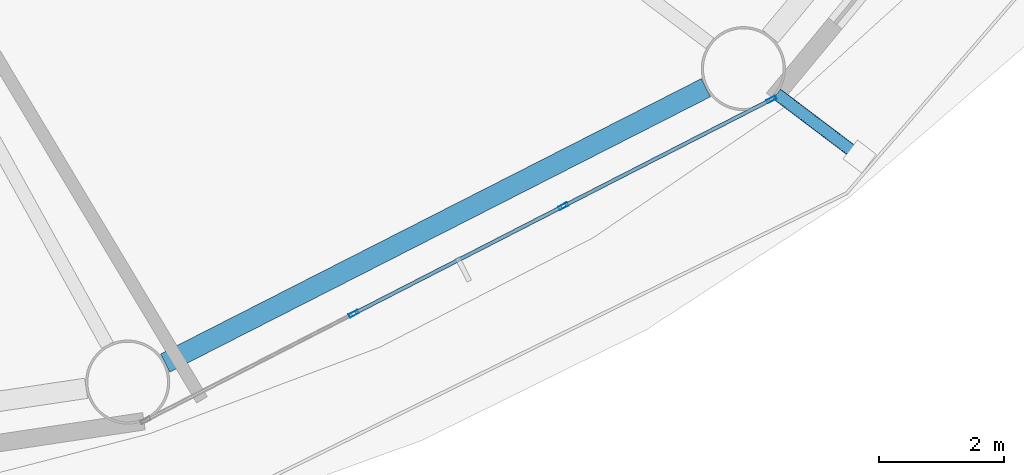
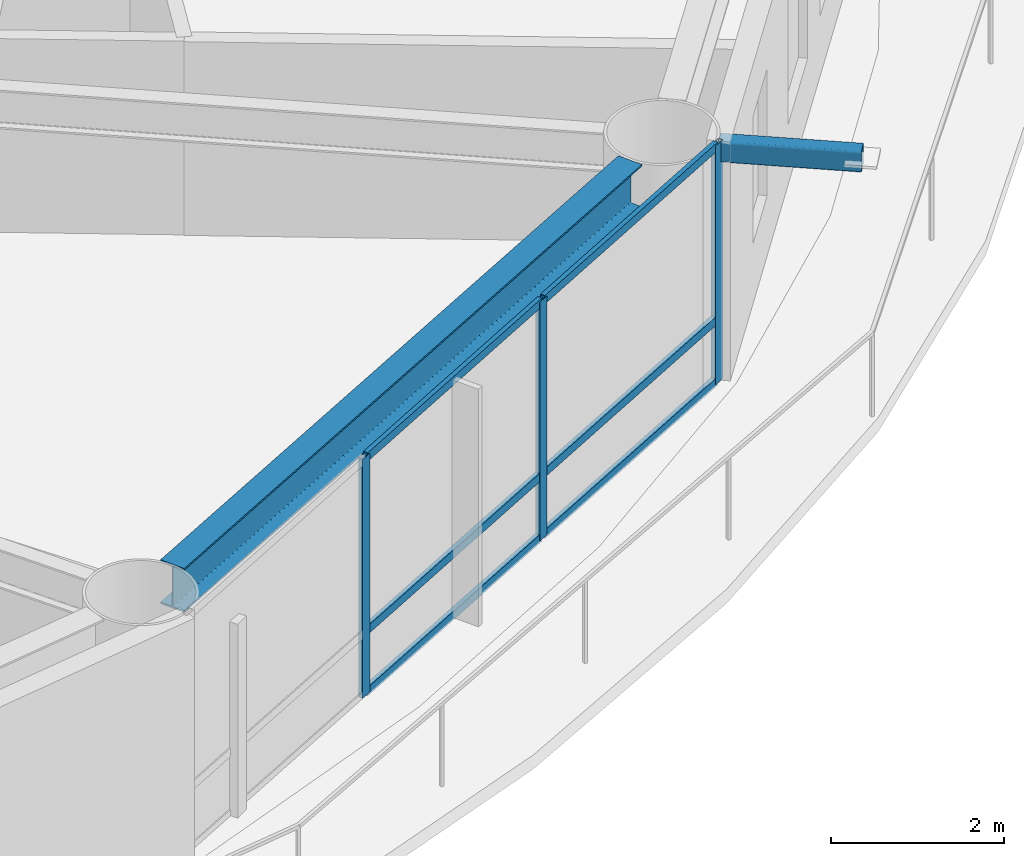
# One storey, part 8 of 26: 10 members, 1 beam, 1 element without a shape of its own.
"""IFC4 building model written with IfcOpenShell, lengths in metres."""

from ifc_helpers import new_model, si_unit, direction, frame, origin, origin_2d, place, context, subcontext, project, spatial, hollow_rectangle, i_section, extrude, material, layer, layer_set, material_profile, profile_set, type_object, element, aggregate, save


model = new_model("IFC4")

# Units and contexts
model_context = context("Model", 3, precision=1e-05, world=origin(), true_north=direction((0.0, 1.0)))
body_context = subcontext(model_context, "Body", "Model", "MODEL_VIEW")
ifc_project = project(units=[si_unit("LENGTHUNIT", "METRE"), si_unit("AREAUNIT", "SQUARE_METRE"), si_unit("VOLUMEUNIT", "CUBIC_METRE"), si_unit("PLANEANGLEUNIT", "RADIAN"), si_unit("MASSUNIT", "GRAM", prefix="KILO")], contexts=[model_context])

# Site, building, storey
site_placement = place(None, origin())
site = spatial("IfcSite", under=ifc_project, at=site_placement, CompositionType="ELEMENT")
building_placement = place(site_placement, origin())
building = spatial("IfcBuilding", under=site, at=building_placement, Name="Sarneth Arch Tower", CompositionType="ELEMENT")
storey_placement = place(building_placement, frame((0.0, 0.0, 57.0)))
storey = spatial("IfcBuildingStorey", under=building, at=storey_placement, Name="L13", CompositionType="ELEMENT", Elevation=57.0)

# Beam
ifc_material_1 = material(Name="Steel S355", Category="steel")
ifc_material_profile_1 = material_profile(ifc_material_1, i_section(OverallWidth=0.326904296875, OverallDepth=0.6220703125, WebThickness=0.015380859375, FlangeThickness=0.0244140625, FilletRadius=0.01904296875, at=origin_2d()), Name="W610x195")
ifc_profile_set_1 = profile_set([ifc_material_profile_1], Name="Steel S355")
beam_type = type_object("IfcBeamType", Name="BM-SPAN-610A", PredefinedType="SPANDREL", material=ifc_profile_set_1)
beam_placement = place(storey_placement, frame((60.41943359375, 20.872314453125, 3.069091796875), z_axis=(0.8911738076, 0.453662037919, 0.0), x_axis=(-0.453662037919, 0.8911738076, 0.0)))
element("IfcBeam", 1, at=beam_placement, inside=storey, type_object=beam_type, Name="L13 Perimeter spandrel beam 14", PredefinedType="SPANDREL", context=body_context, shape_type="SweptSolid", body=[
    extrude(i_section(OverallWidth=0.326904296875, OverallDepth=0.6220703125, WebThickness=0.015380859375, FlangeThickness=0.0244140625, FilletRadius=0.01904296875, at=origin_2d()), origin(), (0.0, 0.0, 1.0), 9.735107421875),
])

# Curtain wall, members
ifc_material_2 = material(Name="Anodised aluminium Type AA25 and solar-control low-e laminated IGU", Category="aluminium")
ifc_layer = layer(ifc_material_2, 0.159912109375)
ifc_layer_set = layer_set([ifc_layer], Name="Anodised aluminium Type AA25 and solar-control low-e laminated IGU")
curtain_wall_type = type_object("IfcCurtainWallType", Name="CW-HOTEL-LOW", PredefinedType="NOTDEFINED", material=ifc_layer_set)
curtain_wall_placement = place(storey_placement, origin())
curtain_wall = element("IfcCurtainWall", 2, at=curtain_wall_placement, inside=storey, type_object=curtain_wall_type, Name="L13 Unitised curtain wall facet 14", PredefinedType="NOTDEFINED")
ifc_material_3 = material(Name="Anodised Aluminium 6063-T6", Category="aluminium")
ifc_material_profile_2 = material_profile(ifc_material_3, hollow_rectangle(XDim=0.06005859375, YDim=0.159912109375, WallThickness=0.00390625, at=origin_2d()), Name="AL-MULL-160x60x4")
ifc_profile_set_2 = profile_set([ifc_material_profile_2], Name="Anodised Aluminium 6063-T6")
member_type_1 = type_object("IfcMemberType", Name="CW-MULLION", PredefinedType="MULLION", material=ifc_profile_set_2)
member_1_placement = place(storey_placement, frame((63.443359375, 21.663330078125, 0.0), z_axis=(0.0, 0.0, 1.0), x_axis=(-0.456245197127, 0.889854100456, 0.0)))
member_1 = element("IfcMember", 3, at=member_1_placement, type_object=member_type_1, Name="CW-SYS-3 mullion 2", PredefinedType="MULLION", context=body_context, shape_type="SweptSolid", body=[
    extrude(hollow_rectangle(XDim=0.06005859375, YDim=0.159912109375, WallThickness=0.00390625, at=origin_2d()), origin(), (0.0, 0.0, 1.0), 3.3798828125),
])
member_2_placement = place(storey_placement, frame((66.80859375, 23.388671875, 0.0), z_axis=(0.0, 0.0, 1.0), x_axis=(-0.456245197127, 0.889854100456, 0.0)))
member_2 = element("IfcMember", 4, at=member_2_placement, type_object=member_type_1, Name="CW-SYS-3 mullion 3", PredefinedType="MULLION", context=body_context, shape_type="SweptSolid", body=[
    extrude(hollow_rectangle(XDim=0.06005859375, YDim=0.159912109375, WallThickness=0.00390625, at=origin_2d()), origin(), (0.0, 0.0, 1.0), 3.3798828125),
])
member_3_placement = place(storey_placement, frame((70.1474609375, 25.1005859375, 0.0), z_axis=(0.0, 0.0, 1.0), x_axis=(-0.456245197127, 0.889854100456, 0.0)))
member_3 = element("IfcMember", 5, at=member_3_placement, type_object=member_type_1, Name="CW-SYS-3 mullion 4", PredefinedType="MULLION", context=body_context, shape_type="SweptSolid", body=[
    extrude(hollow_rectangle(XDim=0.06005859375, YDim=0.159912109375, WallThickness=0.00390625, at=origin_2d()), origin(), (0.0, 0.0, 1.0), 3.3798828125),
])
ifc_material_4 = material(Name="Anodised Aluminium 6063-T6", Category="aluminium")
ifc_material_profile_3 = material_profile(ifc_material_4, hollow_rectangle(XDim=0.06005859375, YDim=0.1201171875, WallThickness=0.00390625, at=origin_2d()), Name="AL-TRAN-120x60x4")
ifc_profile_set_3 = profile_set([ifc_material_profile_3], Name="Anodised Aluminium 6063-T6")
member_type_2 = type_object("IfcMemberType", Name="CW-TRANSOM", PredefinedType="USERDEFINED", material=ifc_profile_set_3)
member_4_placement = place(storey_placement, frame((63.469970703125, 21.677001953125, 0.030029296875), z_axis=(0.889868677022, 0.456216766083, 0.0), x_axis=(-0.456216766083, 0.889868677022, 0.0)))
member_4 = element("IfcMember", 6, at=member_4_placement, type_object=member_type_2, Name="CW-SYS-3 transom 2.1", ObjectType="TRANSOM", PredefinedType="USERDEFINED", context=body_context, shape_type="SweptSolid", body=[
    extrude(hollow_rectangle(XDim=0.06005859375, YDim=0.1201171875, WallThickness=0.00390625, at=origin_2d()), origin(), (0.0, 0.0, 1.0), 3.721923828125),
])
member_5_placement = place(storey_placement, frame((63.469970703125, 21.677001953125, 0.89990234375), z_axis=(0.889868677022, 0.456216766083, 0.0), x_axis=(-0.456216766083, 0.889868677022, 0.0)))
member_5 = element("IfcMember", 7, at=member_5_placement, type_object=member_type_2, Name="CW-SYS-3 transom 2.2", ObjectType="TRANSOM", PredefinedType="USERDEFINED", context=body_context, shape_type="SweptSolid", body=[
    extrude(hollow_rectangle(XDim=0.06005859375, YDim=0.1201171875, WallThickness=0.00390625, at=origin_2d()), origin(), (0.0, 0.0, 1.0), 3.721923828125),
])
member_6_placement = place(storey_placement, frame((63.469970703125, 21.677001953125, 3.35009765625), z_axis=(0.889868677022, 0.456216766083, 0.0), x_axis=(-0.456216766083, 0.889868677022, 0.0)))
member_6 = element("IfcMember", 8, at=member_6_placement, type_object=member_type_2, Name="CW-SYS-3 transom 2.3", ObjectType="TRANSOM", PredefinedType="USERDEFINED", context=body_context, shape_type="SweptSolid", body=[
    extrude(hollow_rectangle(XDim=0.06005859375, YDim=0.1201171875, WallThickness=0.00390625, at=origin_2d()), origin(), (0.0, 0.0, 1.0), 3.721923828125),
])
member_7_placement = place(storey_placement, frame((66.83544921875, 23.402587890625, 0.030029296875), z_axis=(0.889871845224, 0.456210586327, 0.0), x_axis=(-0.456210586327, 0.889871845224, 0.0)))
member_7 = element("IfcMember", 9, at=member_7_placement, type_object=member_type_2, Name="CW-SYS-3 transom 3.1", ObjectType="TRANSOM", PredefinedType="USERDEFINED", context=body_context, shape_type="SweptSolid", body=[
    extrude(hollow_rectangle(XDim=0.06005859375, YDim=0.1201171875, WallThickness=0.00390625, at=origin_2d()), origin(), (0.0, 0.0, 1.0), 3.69189453125),
])
member_8_placement = place(storey_placement, frame((66.83544921875, 23.402587890625, 0.89990234375), z_axis=(0.889871845224, 0.456210586327, 0.0), x_axis=(-0.456210586327, 0.889871845224, 0.0)))
member_8 = element("IfcMember", 10, at=member_8_placement, type_object=member_type_2, Name="CW-SYS-3 transom 3.2", ObjectType="TRANSOM", PredefinedType="USERDEFINED", context=body_context, shape_type="SweptSolid", body=[
    extrude(hollow_rectangle(XDim=0.06005859375, YDim=0.1201171875, WallThickness=0.00390625, at=origin_2d()), origin(), (0.0, 0.0, 1.0), 3.69189453125),
])
member_9_placement = place(storey_placement, frame((66.83544921875, 23.402587890625, 3.35009765625), z_axis=(0.889871845224, 0.456210586327, 0.0), x_axis=(-0.456210586327, 0.889871845224, 0.0)))
member_9 = element("IfcMember", 11, at=member_9_placement, type_object=member_type_2, Name="CW-SYS-3 transom 3.3", ObjectType="TRANSOM", PredefinedType="USERDEFINED", context=body_context, shape_type="SweptSolid", body=[
    extrude(hollow_rectangle(XDim=0.06005859375, YDim=0.1201171875, WallThickness=0.00390625, at=origin_2d()), origin(), (0.0, 0.0, 1.0), 3.69189453125),
])
aggregate(curtain_wall, [member_1, member_2, member_3, member_4, member_5, member_6, member_7, member_8, member_9])

# Member
ifc_material_5 = material(Name="Steel S355", Category="steel")
ifc_material_profile_4 = material_profile(ifc_material_5, hollow_rectangle(XDim=0.199951171875, YDim=0.300048828125, WallThickness=0.012451171875, InnerFilletRadius=0.018798828125, OuterFilletRadius=0.03125, at=origin_2d()), Name="RHS300x200x12.5")
ifc_profile_set_4 = profile_set([ifc_material_profile_4], Name="Steel S355")
member_type_3 = type_object("IfcMemberType", Name="MEM-CANT-STRUT", PredefinedType="STRUT", material=ifc_profile_set_4)
member_10_placement = place(storey_placement, frame((70.235107421875, 25.18798828125, 3.219970703125), z_axis=(0.797671374604, -0.603092346277, 0.0), x_axis=(0.603092346277, 0.797671374604, 0.0)))
element("IfcMember", 12, at=member_10_placement, inside=storey, type_object=member_type_3, Name="L13 Balcony cantilever bracket 15", PredefinedType="STRUT", context=body_context, shape_type="SweptSolid", body=[
    extrude(hollow_rectangle(XDim=0.199951171875, YDim=0.300048828125, WallThickness=0.012451171875, InnerFilletRadius=0.018798828125, OuterFilletRadius=0.03125, at=origin_2d()), origin(), (0.0, 0.0, 1.0), 1.6650390625),
])

save(model, "model.ifc")
